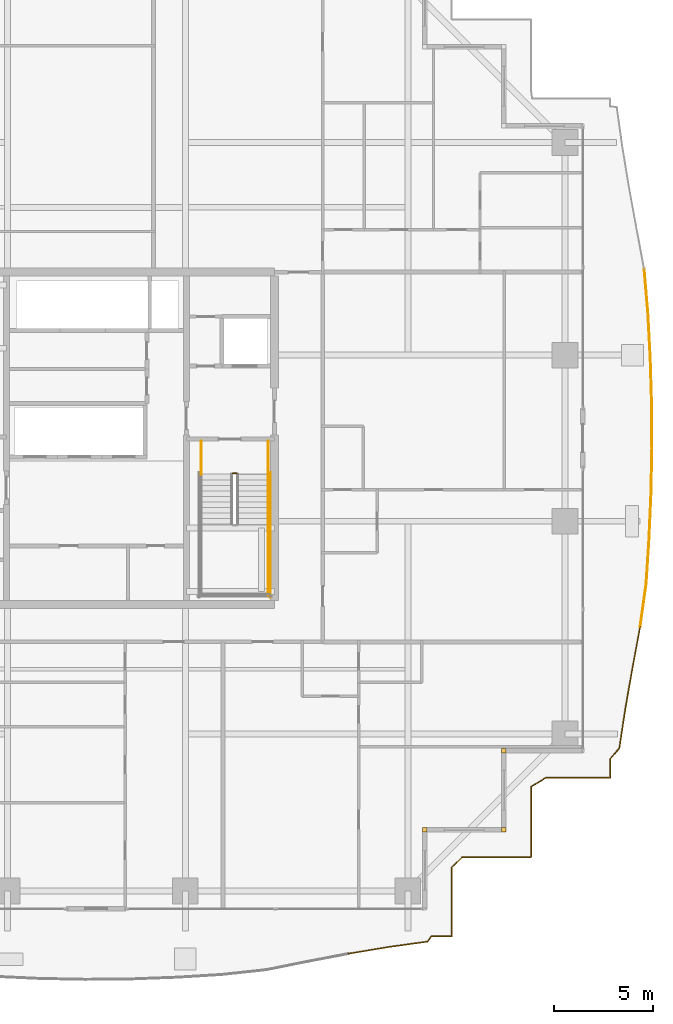
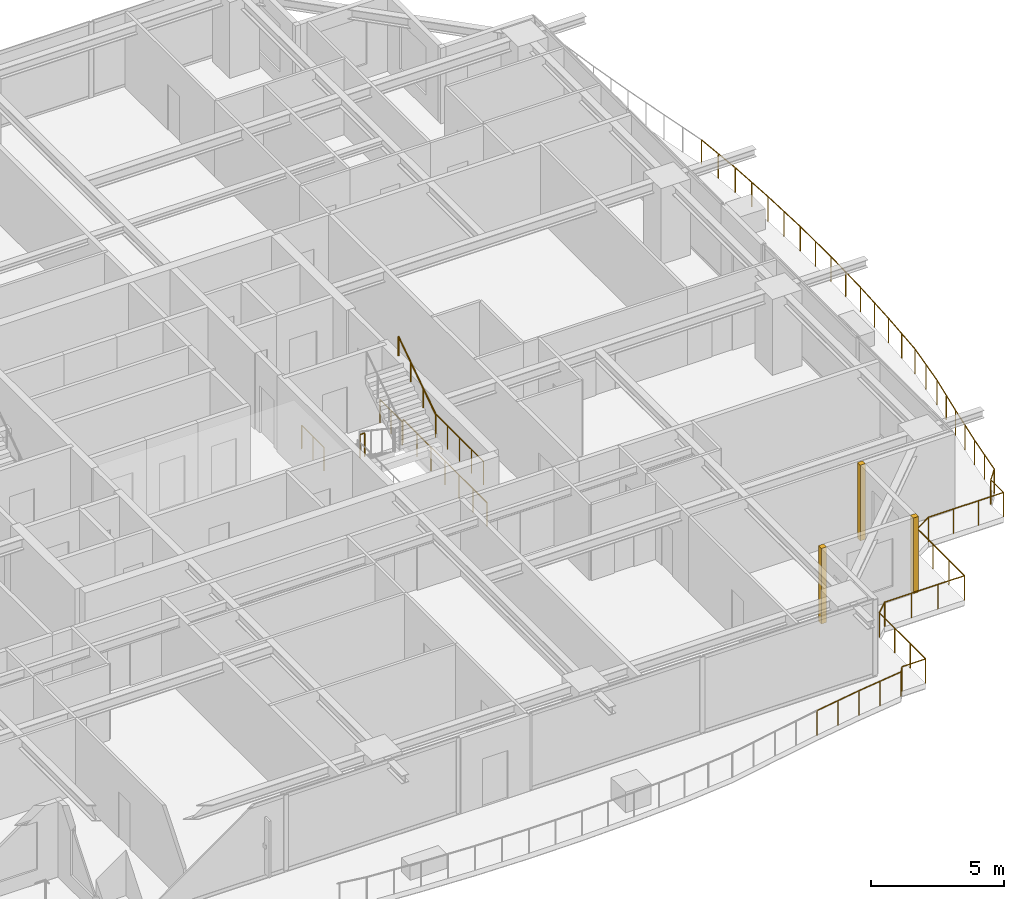
# One storey, part 34 of 35: 9 railings, 3 coverings.
"""IFC4 building model written with IfcOpenShell, lengths in metres."""

from ifc_helpers import new_model, si_unit, direction, frame, origin, origin_2d, place, context, subcontext, project, spatial, rectangle, circle, extrude, source, transform, mapped, material, layer, layer_set, type_object, element, save


model = new_model("IFC4")

# Units and contexts
model_context = context("Model", 3, precision=1e-05, world=origin(), true_north=direction((0.0, 1.0)))
body_context = subcontext(model_context, "Body", "Model", "MODEL_VIEW")
ifc_project = project(units=[si_unit("LENGTHUNIT", "METRE"), si_unit("AREAUNIT", "SQUARE_METRE"), si_unit("VOLUMEUNIT", "CUBIC_METRE"), si_unit("PLANEANGLEUNIT", "RADIAN"), si_unit("MASSUNIT", "GRAM", prefix="KILO")], contexts=[model_context])

# Site, building, storey
site_placement = place(None, origin())
site = spatial("IfcSite", under=ifc_project, at=site_placement, CompositionType="ELEMENT")
building_placement = place(site_placement, origin())
building = spatial("IfcBuilding", under=site, at=building_placement, Name="Serunith Strait Residences", CompositionType="ELEMENT")
storey_placement = place(building_placement, frame((0.0, 0.0, 191.39990234375)))
storey = spatial("IfcBuildingStorey", under=building, at=storey_placement, Name="L48", CompositionType="ELEMENT", Elevation=191.39990234375)

# Railings
ifc_material_1 = material(Name="Stainless Steel & Laminated Glass Balustrade", Category="steel")
railing_type_1 = type_object("IfcRailingType", Name="RLG-BALC-1150", PredefinedType="BALUSTRADE", material=ifc_material_1)
railing_1_placement = place(storey_placement, frame((60.1044921875, 33.759033203125, -0.0498046875)))
element("IfcRailing", 1, at=railing_1_placement, inside=storey, type_object=railing_type_1, Name="L48 Swirling Balcony Perimeter Balustrade 4", PredefinedType="BALUSTRADE", context=body_context, shape_type="SweptSolid", body=[
    extrude(circle(Radius=0.02392578125, at=origin_2d()), frame((0.000244140625, -0.001953125, 1.1259765625), z_axis=(0.084617626592, -0.996413497134, 0.0), x_axis=(0.996413497134, 0.084617626592, 0.0)), (0.0, 0.0, 1.0), 2.23193359375),
    extrude(circle(Radius=0.02392578125, at=origin_2d()), frame((0.189208984375, -2.22998046875, 1.1259765625), z_axis=(0.052857688133, -0.998602055278, 0.0), x_axis=(0.998602055278, 0.052857688133, 0.0)), (0.0, 0.0, 1.0), 2.2685546875),
    extrude(circle(Radius=0.02392578125, at=origin_2d()), frame((0.309326171875, -4.499267578125, 1.1259765625), z_axis=(0.030340695528, -0.99953961512, 0.0), x_axis=(0.99953961512, 0.030340695528, 0.0)), (0.0, 0.0, 1.0), 2.289306640625),
    extrude(circle(Radius=0.02392578125, at=origin_2d()), frame((0.37890625, -6.79150390625, 1.1259765625), z_axis=(0.005301590216, -0.999985946472, 0.0), x_axis=(0.999985946472, 0.005301590216, 0.0)), (0.0, 0.0, 1.0), 2.298583984375),
    extrude(circle(Radius=0.02392578125, at=origin_2d()), frame((0.39111328125, -9.093994140625, 1.1259765625), z_axis=(-0.020070305889, -0.999798571124, 0.0), x_axis=(0.999798571124, -0.020070305889, 0.0)), (0.0, 0.0, 1.0), 2.295166015625),
    extrude(circle(Radius=0.02392578125, at=origin_2d()), frame((0.344970703125, -11.392578125, 1.1259765625), z_axis=(-0.04394765132, -0.999033835235, 0.0), x_axis=(0.999033835235, -0.04394765132, 0.0)), (0.0, 0.0, 1.0), 2.279296875),
    extrude(circle(Radius=0.02392578125, at=origin_2d()), frame((0.244384765625, -13.673583984375, 1.1259765625), z_axis=(-0.064351008873, -0.997927325839, 0.0), x_axis=(0.997927325839, -0.064351008873, 0.0)), (0.0, 0.0, 1.0), 2.25341796875),
    extrude(circle(Radius=0.02392578125, at=origin_2d()), frame((0.09912109375, -15.92626953125, 1.1259765625), z_axis=(-0.138695842006, -0.990335025842, 0.0), x_axis=(0.990335025842, -0.138695842006, 0.0)), (0.0, 0.0, 1.0), 2.191162109375),
    extrude(circle(Radius=0.02099609375, at=origin_2d()), origin(), (0.0, 0.0, 1.0), 1.099853515625),
    extrude(circle(Radius=0.02099609375, at=origin_2d()), frame((0.0947265625, -1.114013671875, 0.0)), (0.0, 0.0, 1.0), 1.099853515625),
    extrude(circle(Radius=0.02099609375, at=origin_2d()), frame((0.189208984375, -2.22802734375, 0.0)), (0.0, 0.0, 1.0), 1.099853515625),
    extrude(circle(Radius=0.02099609375, at=origin_2d()), frame((0.249267578125, -3.36279296875, 0.0)), (0.0, 0.0, 1.0), 1.099853515625),
    extrude(circle(Radius=0.02099609375, at=origin_2d()), frame((0.309326171875, -4.497314453125, 0.0)), (0.0, 0.0, 1.0), 1.099853515625),
    extrude(circle(Radius=0.02099609375, at=origin_2d()), frame((0.34423828125, -5.6435546875, 0.0)), (0.0, 0.0, 1.0), 1.099853515625),
    extrude(circle(Radius=0.02099609375, at=origin_2d()), frame((0.37890625, -6.78955078125, 0.0)), (0.0, 0.0, 1.0), 1.099853515625),
    extrude(circle(Radius=0.02099609375, at=origin_2d()), frame((0.385009765625, -7.94091796875, 0.0)), (0.0, 0.0, 1.0), 1.099853515625),
    extrude(circle(Radius=0.02099609375, at=origin_2d()), frame((0.39111328125, -9.092041015625, 0.0)), (0.0, 0.0, 1.0), 1.099853515625),
    extrude(circle(Radius=0.02099609375, at=origin_2d()), frame((0.3681640625, -10.2412109375, 0.0)), (0.0, 0.0, 1.0), 1.099853515625),
    extrude(circle(Radius=0.02099609375, at=origin_2d()), frame((0.344970703125, -11.390625, 0.0)), (0.0, 0.0, 1.0), 1.099853515625),
    extrude(circle(Radius=0.02099609375, at=origin_2d()), frame((0.294921875, -12.53125, 0.0)), (0.0, 0.0, 1.0), 1.099853515625),
    extrude(circle(Radius=0.02099609375, at=origin_2d()), frame((0.24462890625, -13.671630859375, 0.0)), (0.0, 0.0, 1.0), 1.099853515625),
    extrude(circle(Radius=0.02099609375, at=origin_2d()), frame((0.171875, -14.7978515625, 0.0)), (0.0, 0.0, 1.0), 1.099853515625),
    extrude(circle(Radius=0.02099609375, at=origin_2d()), frame((0.099365234375, -15.92431640625, 0.0)), (0.0, 0.0, 1.0), 1.099853515625),
    extrude(circle(Radius=0.02099609375, at=origin_2d()), frame((-0.052734375, -17.01123046875, 0.0)), (0.0, 0.0, 1.0), 1.099853515625),
    extrude(circle(Radius=0.02099609375, at=origin_2d()), frame((-0.205078125, -18.09814453125, 0.0)), (0.0, 0.0, 1.0), 1.099853515625),
])
railing_2_placement = place(storey_placement, frame((59.8994140625, 15.660888671875, -0.0498046875)))
element("IfcRailing", 2, at=railing_2_placement, inside=storey, type_object=railing_type_1, Name="L48 Swirling Balcony Perimeter Balustrade 5", PredefinedType="BALUSTRADE", context=body_context, shape_type="SweptSolid", body=[
    extrude(circle(Radius=0.02392578125, at=origin_2d()), frame((-0.00048828125, -0.001953125, 1.1259765625), z_axis=(-0.183628964429, -0.982995627367, 0.0), x_axis=(0.982995627367, -0.183628964429, 0.0)), (0.0, 0.0, 1.0), 2.119384765625),
    extrude(circle(Radius=0.02392578125, at=origin_2d()), frame((-0.39013671875, -2.089111328125, 1.1259765625), z_axis=(-0.171962897812, -0.985103426944, 0.0), x_axis=(0.985103426944, -0.171962897812, 0.0)), (0.0, 0.0, 1.0), 2.0673828125),
    extrude(circle(Radius=0.02392578125, at=origin_2d()), frame((-0.746337890625, -4.129638671875, 1.1259765625), z_axis=(-0.15033492851, -0.988635124437, 0.0), x_axis=(0.988635124437, -0.15033492851, 0.0)), (0.0, 0.0, 1.0), 2.03076171875),
    extrude(circle(Radius=0.02392578125, at=origin_2d()), frame((-1.05322265625, -6.140869140625, 1.1259765625), z_axis=(-0.647805517337, -0.761805757203, 0.0), x_axis=(0.761805757203, -0.647805517337, 0.0)), (0.0, 0.0, 1.0), 0.7177734375),
    extrude(circle(Radius=0.02392578125, at=origin_2d()), frame((-1.51953125, -6.691162109375, 1.1259765625), z_axis=(0.0, -1.0, 0.0), x_axis=(1.0, 0.0, 0.0)), (0.0, 0.0, 1.0), 0.94775390625),
    extrude(circle(Radius=0.02392578125, at=origin_2d()), frame((-1.521484375, -7.640869140625, 1.1259765625), z_axis=(-1.0, 0.0, 0.0), x_axis=(0.0, -1.0, 0.0)), (0.0, 0.0, 1.0), 3.254150390625),
    extrude(circle(Radius=0.02392578125, at=origin_2d()), frame((-4.779296875, -7.641845703125, 1.1259765625), z_axis=(-0.857667188975, -0.514205205104, 0.0), x_axis=(0.514205205104, -0.857667188975, 0.0)), (0.0, 0.0, 1.0), 0.861083984375),
    extrude(circle(Radius=0.02392578125, at=origin_2d()), frame((-5.51953125, -8.087646484375, 1.1259765625), z_axis=(0.0, -1.0, 0.0), x_axis=(1.0, 0.0, 0.0)), (0.0, 0.0, 1.0), 3.55126953125),
    extrude(circle(Radius=0.02099609375, at=origin_2d()), origin(), (0.0, 0.0, 1.0), 1.099853515625),
    extrude(circle(Radius=0.02099609375, at=origin_2d()), frame((-0.19482421875, -1.04345703125, 0.0)), (0.0, 0.0, 1.0), 1.099853515625),
    extrude(circle(Radius=0.02099609375, at=origin_2d()), frame((-0.389892578125, -2.087158203125, 0.0)), (0.0, 0.0, 1.0), 1.099853515625),
    extrude(circle(Radius=0.02099609375, at=origin_2d()), frame((-0.56787109375, -3.107421875, 0.0)), (0.0, 0.0, 1.0), 1.099853515625),
    extrude(circle(Radius=0.02099609375, at=origin_2d()), frame((-0.74609375, -4.127685546875, 0.0)), (0.0, 0.0, 1.0), 1.099853515625),
    extrude(circle(Radius=0.02099609375, at=origin_2d()), frame((-0.89892578125, -5.133544921875, 0.0)), (0.0, 0.0, 1.0), 1.099853515625),
    extrude(circle(Radius=0.02099609375, at=origin_2d()), frame((-1.052001953125, -6.139404296875, 0.0)), (0.0, 0.0, 1.0), 1.099853515625),
    extrude(circle(Radius=0.02099609375, at=origin_2d()), frame((-1.51953125, -6.689208984375, 0.0)), (0.0, 0.0, 1.0), 1.099853515625),
    extrude(circle(Radius=0.02099609375, at=origin_2d()), frame((-1.51953125, -7.640869140625, 0.0)), (0.0, 0.0, 1.0), 1.099853515625),
    extrude(circle(Radius=0.02099609375, at=origin_2d()), frame((-2.60546875, -7.640869140625, 0.0)), (0.0, 0.0, 1.0), 1.099853515625),
    extrude(circle(Radius=0.02099609375, at=origin_2d()), frame((-3.691650390625, -7.640869140625, 0.0)), (0.0, 0.0, 1.0), 1.099853515625),
    extrude(circle(Radius=0.02099609375, at=origin_2d()), frame((-4.777587890625, -7.640869140625, 0.0)), (0.0, 0.0, 1.0), 1.099853515625),
    extrude(circle(Radius=0.02099609375, at=origin_2d()), frame((-5.51953125, -8.085693359375, 0.0)), (0.0, 0.0, 1.0), 1.099853515625),
    extrude(circle(Radius=0.02099609375, at=origin_2d()), frame((-5.51953125, -9.270751953125, 0.0)), (0.0, 0.0, 1.0), 1.099853515625),
    extrude(circle(Radius=0.02099609375, at=origin_2d()), frame((-5.51953125, -10.455810546875, 0.0)), (0.0, 0.0, 1.0), 1.099853515625),
    extrude(circle(Radius=0.02099609375, at=origin_2d()), frame((-5.51953125, -11.640869140625, 0.0)), (0.0, 0.0, 1.0), 1.099853515625),
])
railing_3_placement = place(storey_placement, frame((54.3798828125, 4.02001953125, -0.0498046875)))
element("IfcRailing", 3, at=railing_3_placement, inside=storey, type_object=railing_type_1, Name="L48 Swirling Balcony Perimeter Balustrade 6", PredefinedType="BALUSTRADE", context=body_context, shape_type="SweptSolid", body=[
    extrude(circle(Radius=0.02392578125, at=origin_2d()), frame((-0.001953125, 0.0, 1.1259765625), z_axis=(-1.0, 0.0, 0.0), x_axis=(0.0, -1.0, 0.0)), (0.0, 0.0, 1.0), 3.466796875),
    extrude(circle(Radius=0.02392578125, at=origin_2d()), frame((-3.47216796875, -0.00146484375, 1.1259765625), z_axis=(-0.720769176731, -0.693175153821, 0.0), x_axis=(0.693175153821, -0.720769176731, 0.0)), (0.0, 0.0, 1.0), 0.73046875),
    extrude(circle(Radius=0.02392578125, at=origin_2d()), frame((-4.0, -0.510986328125, 1.1259765625), z_axis=(0.0, -1.0, 0.0), x_axis=(1.0, 0.0, 0.0)), (0.0, 0.0, 1.0), 3.487060546875),
    extrude(circle(Radius=0.02392578125, at=origin_2d()), frame((-4.001953125, -4.0, 1.1259765625), z_axis=(-1.0, 0.0, 0.0), x_axis=(0.0, -1.0, 0.0)), (0.0, 0.0, 1.0), 1.025146484375),
    extrude(circle(Radius=0.02392578125, at=origin_2d()), frame((-5.0302734375, -4.001708984375, 1.1259765625), z_axis=(-0.581375501248, -0.813635376903, 0.0), x_axis=(0.813635376903, -0.581375501248, 0.0)), (0.0, 0.0, 1.0), 0.332275390625),
    extrude(circle(Radius=0.02392578125, at=origin_2d()), frame((-5.2265625, -4.27392578125, 1.1259765625), z_axis=(-0.99041144591, -0.138149078213, 0.0), x_axis=(0.138149078213, -0.99041144591, 0.0)), (0.0, 0.0, 1.0), 2.012451171875),
    extrude(circle(Radius=0.02392578125, at=origin_2d()), frame((-7.2236328125, -4.552490234375, 1.1259765625), z_axis=(-0.986147356529, -0.165871610623, 0.0), x_axis=(0.165871610623, -0.986147356529, 0.0)), (0.0, 0.0, 1.0), 2.0390625),
    extrude(circle(Radius=0.02099609375, at=origin_2d()), origin(), (0.0, 0.0, 1.0), 1.099853515625),
    extrude(circle(Radius=0.02099609375, at=origin_2d()), frame((-1.156982421875, 0.0, 0.0)), (0.0, 0.0, 1.0), 1.099853515625),
    extrude(circle(Radius=0.02099609375, at=origin_2d()), frame((-2.313720703125, 0.0, 0.0)), (0.0, 0.0, 1.0), 1.099853515625),
    extrude(circle(Radius=0.02099609375, at=origin_2d()), frame((-3.470703125, 0.0, 0.0)), (0.0, 0.0, 1.0), 1.099853515625),
    extrude(circle(Radius=0.02099609375, at=origin_2d()), frame((-4.0, -0.509033203125, 0.0)), (0.0, 0.0, 1.0), 1.099853515625),
    extrude(circle(Radius=0.02099609375, at=origin_2d()), frame((-4.0, -1.672607421875, 0.0)), (0.0, 0.0, 1.0), 1.099853515625),
    extrude(circle(Radius=0.02099609375, at=origin_2d()), frame((-4.0, -2.83642578125, 0.0)), (0.0, 0.0, 1.0), 1.099853515625),
    extrude(circle(Radius=0.02099609375, at=origin_2d()), frame((-4.0, -4.0, 0.0)), (0.0, 0.0, 1.0), 1.099853515625),
    extrude(circle(Radius=0.02099609375, at=origin_2d()), frame((-5.029052734375, -4.0, 0.0)), (0.0, 0.0, 1.0), 1.099853515625),
    extrude(circle(Radius=0.02099609375, at=origin_2d()), frame((-5.224609375, -4.273681640625, 0.0)), (0.0, 0.0, 1.0), 1.099853515625),
    extrude(circle(Radius=0.02099609375, at=origin_2d()), frame((-6.22314453125, -4.4130859375, 0.0)), (0.0, 0.0, 1.0), 1.099853515625),
    extrude(circle(Radius=0.02099609375, at=origin_2d()), frame((-7.2216796875, -4.55224609375, 0.0)), (0.0, 0.0, 1.0), 1.099853515625),
    extrude(circle(Radius=0.02099609375, at=origin_2d()), frame((-8.22900390625, -4.7216796875, 0.0)), (0.0, 0.0, 1.0), 1.099853515625),
    extrude(circle(Radius=0.02099609375, at=origin_2d()), frame((-9.236328125, -4.89111328125, 0.0)), (0.0, 0.0, 1.0), 1.099853515625),
])
ifc_material_2 = material(Name="Brushed stainless steel 316L", Category="steel")
railing_type_2 = type_object("IfcRailingType", Name="RLG-STAIR-GUARD", PredefinedType="BALUSTRADE", material=ifc_material_2)
railing_4_placement = place(storey_placement, frame((41.10009765625, 20.85009765625, 1.875)))
element("IfcRailing", 4, at=railing_4_placement, inside=storey, type_object=railing_type_2, Name="L48 ST-2 stair guard 4", PredefinedType="BALUSTRADE", context=body_context, shape_type="SweptSolid", body=[
    extrude(circle(Radius=0.02392578125, at=origin_2d()), frame((0.0, -0.001953125, 1.076171875), z_axis=(0.0, -1.0, 0.0), x_axis=(1.0, 0.0, 0.0)), (0.0, 0.0, 1.0), 3.59619140625),
    extrude(circle(Radius=0.02099609375, at=origin_2d()), origin(), (0.0, 0.0, 1.0), 1.050048828125),
    extrude(circle(Radius=0.02099609375, at=origin_2d()), frame((0.0, -0.89990234375, 0.0)), (0.0, 0.0, 1.0), 1.050048828125),
    extrude(circle(Radius=0.02099609375, at=origin_2d()), frame((0.0, -1.800048828125, 0.0)), (0.0, 0.0, 1.0), 1.050048828125),
    extrude(circle(Radius=0.02099609375, at=origin_2d()), frame((0.0, -2.7001953125, 0.0)), (0.0, 0.0, 1.0), 1.050048828125),
    extrude(circle(Radius=0.02099609375, at=origin_2d()), frame((0.0, -3.60009765625, 0.0)), (0.0, 0.0, 1.0), 1.050048828125),
])
railing_5_placement = place(storey_placement, frame((39.300048828125, 23.419921875, 0.0)))
element("IfcRailing", 5, at=railing_5_placement, inside=storey, type_object=railing_type_2, Name="L48 ST-2 stair guard 7", PredefinedType="BALUSTRADE", context=body_context, shape_type="SweptSolid", body=[
    extrude(circle(Radius=0.02392578125, at=origin_2d()), frame((0.001953125, 0.0, 1.076171875), z_axis=(1.0, 0.0, 0.0), x_axis=(0.0, 1.0, 0.0)), (0.0, 0.0, 1.0), 0.196044921875),
    extrude(circle(Radius=0.02099609375, at=origin_2d()), origin(), (0.0, 0.0, 1.0), 1.050048828125),
    extrude(circle(Radius=0.02099609375, at=origin_2d()), frame((0.199951171875, 0.0, 0.0)), (0.0, 0.0, 1.0), 1.050048828125),
])
for number, where, name in (
    (6, (37.699951171875, 25.050048828125, 0.0), "L48 ST-2 stair guard 8"),
    (7, (41.10009765625, 25.050048828125, 0.0), "L48 ST-2 stair guard 9"),
):
    element("IfcRailing", number, at=place(storey_placement, frame(where)), inside=storey, type_object=railing_type_2, Name=name, PredefinedType="BALUSTRADE", context=body_context, shape_type="SweptSolid", body=[
        extrude(circle(Radius=0.02392578125, at=origin_2d()), frame((0.0, -0.001953125, 1.076171875), z_axis=(0.0, -1.0, 0.0), x_axis=(1.0, 0.0, 0.0)), (0.0, 0.0, 1.0), 1.676025390625),
        extrude(circle(Radius=0.02099609375, at=origin_2d()), origin(), (0.0, 0.0, 1.0), 1.050048828125),
        extrude(circle(Radius=0.02099609375, at=origin_2d()), frame((0.0, -0.83984375, 0.0)), (0.0, 0.0, 1.0), 1.050048828125),
        extrude(circle(Radius=0.02099609375, at=origin_2d()), frame((0.0, -1.679931640625, 0.0)), (0.0, 0.0, 1.0), 1.050048828125),
    ])
railing_6_placement = place(storey_placement, frame((41.199951171875, 23.469970703125, 0.0)))
element("IfcRailing", 8, at=railing_6_placement, inside=storey, type_object=railing_type_2, Name="L48 ST-2 stair guard 11", PredefinedType="BALUSTRADE", context=body_context, shape_type="SweptSolid", body=[
    extrude(circle(Radius=0.02392578125, at=origin_2d()), frame((0.0, -0.001953125, 1.076171875), z_axis=(0.0, -1.0, 0.0), x_axis=(1.0, 0.0, 0.0)), (0.0, 0.0, 1.0), 6.316162109375),
    extrude(circle(Radius=0.02099609375, at=origin_2d()), origin(), (0.0, 0.0, 1.0), 1.050048828125),
    extrude(circle(Radius=0.02099609375, at=origin_2d()), frame((0.0, -1.05322265625, 0.0)), (0.0, 0.0, 1.0), 1.050048828125),
    extrude(circle(Radius=0.02099609375, at=origin_2d()), frame((0.0, -2.106689453125, 0.0)), (0.0, 0.0, 1.0), 1.050048828125),
    extrude(circle(Radius=0.02099609375, at=origin_2d()), frame((0.0, -3.16015625, 0.0)), (0.0, 0.0, 1.0), 1.050048828125),
    extrude(circle(Radius=0.02099609375, at=origin_2d()), frame((0.0, -4.21337890625, 0.0)), (0.0, 0.0, 1.0), 1.050048828125),
    extrude(circle(Radius=0.02099609375, at=origin_2d()), frame((0.0, -5.2666015625, 0.0)), (0.0, 0.0, 1.0), 1.050048828125),
    extrude(circle(Radius=0.02099609375, at=origin_2d()), frame((0.0, -6.320068359375, 0.0)), (0.0, 0.0, 1.0), 1.050048828125),
])
railing_type_3 = type_object("IfcRailingType", Name="RLG-STAIR-HR", PredefinedType="HANDRAIL", material=ifc_material_2)
railing_7_placement = place(storey_placement, frame((41.10009765625, 20.85009765625, 2.0625)))
element("IfcRailing", 9, at=railing_7_placement, inside=storey, type_object=railing_type_3, Name="L48 ST-2 stair handrail 2", PredefinedType="HANDRAIL", context=body_context, shape_type="SweptSolid", body=[
    extrude(circle(Radius=0.02392578125, at=origin_2d()), frame((0.0, 0.001708984375, 0.876953125), z_axis=(0.0, 0.830185712471, 0.557486935101), x_axis=(-1.0, 0.0, 0.0)), (0.0, 0.0, 1.0), 3.368408203125),
    extrude(circle(Radius=0.02099609375, at=origin_2d()), origin(), (0.0, 0.0, 1.0), 0.849853515625),
    extrude(circle(Radius=0.02099609375, at=origin_2d()), frame((0.0, 0.933349609375, 0.626708984375)), (0.0, 0.0, 1.0), 0.849853515625),
    extrude(circle(Radius=0.02099609375, at=origin_2d()), frame((0.0, 1.866455078125, 1.25341796875)), (0.0, 0.0, 1.0), 0.849853515625),
    extrude(circle(Radius=0.02099609375, at=origin_2d()), frame((0.0, 2.7998046875, 1.880126953125)), (0.0, 0.0, 1.0), 0.849853515625),
])

# Coverings
ifc_material_3 = material(Name="Pale-Champagne Anodised Aluminium", Category="aluminium")
ifc_layer = layer(ifc_material_3, 0.219970703125, Name="Pale-Champagne Anodised Aluminium")
ifc_layer_set = layer_set([ifc_layer], Name="Pale-Champagne Anodised Aluminium")
covering_type = type_object("IfcCoveringType", Name="COV-CORN-TRIM", PredefinedType="CLADDING", material=ifc_layer_set)
shared_shape = source(origin(), body_context, "Body", "SweptSolid", [
    extrude(rectangle(XDim=0.221923828125, YDim=0.221923828125, at=origin_2d()), origin(), (0.0, 0.0, 1.0), 3.47509765625),
])
for number, where, z_axis, x_axis, name in (
    (10, (49.0, 5.39990234375, 0.0), (0.0, 0.0, 1.0), (1.0, 0.0, 0.0), "L48 Girih Serrated Corner Trim Post 02"),
    (11, (53.0, 5.39990234375, 0.0), (0.0, 0.0, 1.0), (1.0, 0.0, 0.0), "L48 Girih Serrated Corner Trim Post 03"),
    (12, (53.0, 9.39990234375, 0.0), (0.0, 0.0, 1.0), (1.0, 0.0, 0.0), "L48 Girih Serrated Corner Trim Post 04"),
):
    element("IfcCovering", number, at=place(storey_placement, frame(where, z_axis=z_axis, x_axis=x_axis)), inside=storey, type_object=covering_type, Name=name, PredefinedType="CLADDING", context=body_context, shape_type="MappedRepresentation", body=[
        mapped(shared_shape, transform((0.0, 0.0, 0.0), scale=1.0)),
    ])

save(model, "model.ifc")
